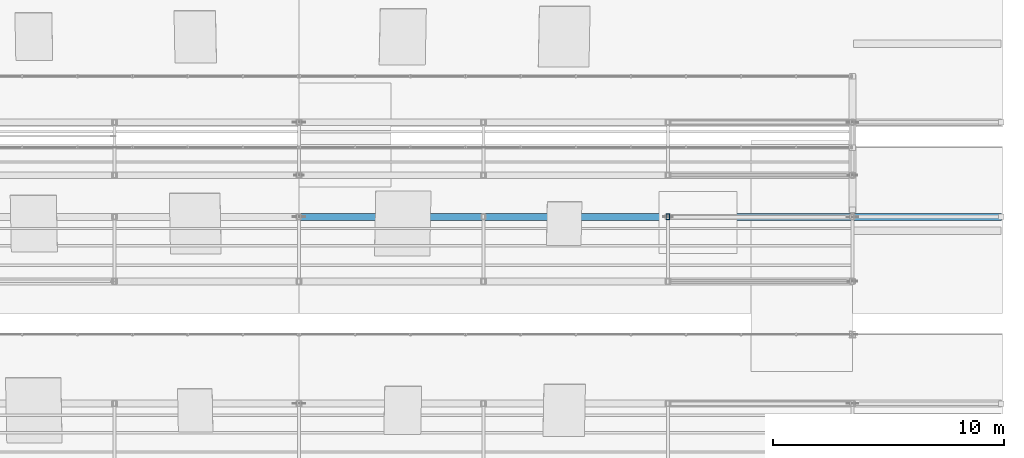
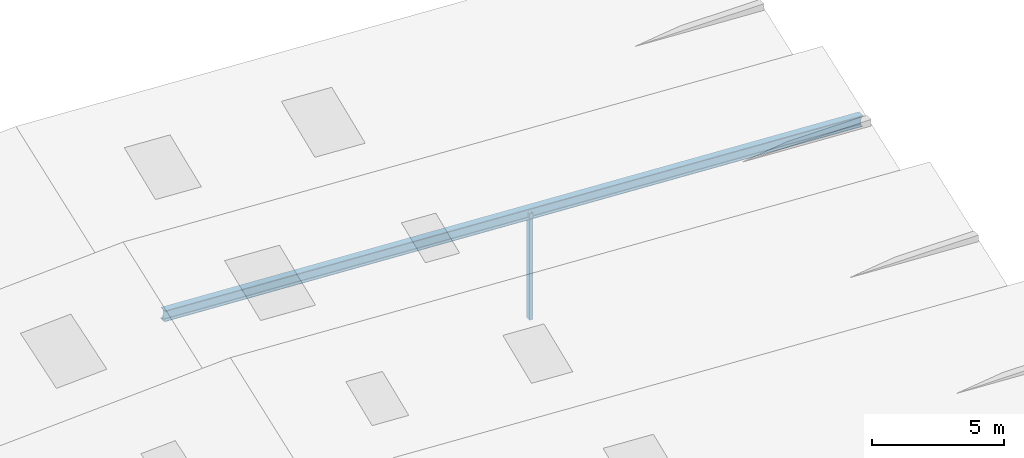
# One storey, part 117 of 141: 2 members.
"""IFC4 building model written with IfcOpenShell, lengths in metres."""

from ifc_helpers import new_model, si_unit, direction, frame, origin, origin_2d, place, context, subcontext, project, spatial, hollow_rectangle, i_section, extrude, material, material_profile, profile_set, type_object, element, save


model = new_model("IFC4")

# Units and contexts
model_context = context("Model", 3, precision=1e-05, world=origin(), true_north=direction((0.0, 1.0)))
body_context = subcontext(model_context, "Body", "Model", "MODEL_VIEW")
ifc_project = project(units=[si_unit("LENGTHUNIT", "METRE"), si_unit("AREAUNIT", "SQUARE_METRE"), si_unit("VOLUMEUNIT", "CUBIC_METRE"), si_unit("PLANEANGLEUNIT", "RADIAN"), si_unit("MASSUNIT", "GRAM", prefix="KILO")], contexts=[model_context])

# Site, building, storey
site_placement = place(None, origin())
site = spatial("IfcSite", under=ifc_project, at=site_placement, CompositionType="ELEMENT")
building_placement = place(site_placement, origin())
building = spatial("IfcBuilding", under=site, at=building_placement, Name="Sundkrona Museum", CompositionType="ELEMENT")
storey_placement = place(building_placement, frame((0.0, 0.0, 34.0)))
storey = spatial("IfcBuildingStorey", under=building, at=storey_placement, Name="RF", CompositionType="ELEMENT", Elevation=34.0)

# Members
ifc_material = material(Name="Steel S355J2", Category="steel")
ifc_material_profile_1 = material_profile(ifc_material, hollow_rectangle(XDim=0.14990234375, YDim=0.25, WallThickness=0.010009765625, at=origin_2d()), Name="RHS 250x150x10.0")
ifc_profile_set_1 = profile_set([ifc_material_profile_1], Name="Steel S355J2")
member_type_1 = type_object("IfcMemberType", Name="ST-RHS250", PredefinedType="STRUT", material=ifc_profile_set_1)
member_1_placement = place(storey_placement, frame((160.0, 39.699951171875, -0.25), z_axis=(0.0, 0.0, 1.0), x_axis=(1.0, 0.0, 0.0)))
element("IfcMember", 1, at=member_1_placement, inside=storey, type_object=member_type_1, Name="RFS-1 Sawtooth Truss 6 Vertical Post 6", PredefinedType="STRUT", context=body_context, shape_type="SweptSolid", body=[
    extrude(hollow_rectangle(XDim=0.14990234375, YDim=0.25, WallThickness=0.010009765625, at=origin_2d()), origin(), (0.0, 0.0, 1.0), 4.910400390625),
])
ifc_material_profile_2 = material_profile(ifc_material, i_section(OverallWidth=0.300048828125, OverallDepth=0.5, WebThickness=0.014404296875, FlangeThickness=0.028076171875, FilletRadius=0.027099609375, at=origin_2d()), Name="HEB 500")
ifc_profile_set_2 = profile_set([ifc_material_profile_2], Name="Steel S355J2")
member_type_2 = type_object("IfcMemberType", Name="TC-HEB500", PredefinedType="CHORD", material=ifc_profile_set_2)
member_2_placement = place(storey_placement, frame((144.0, 39.699951171875, 5.52587890625), z_axis=(0.998539589753, 0.0, -0.054024880348), x_axis=(0.0, 1.0, 0.0)))
element("IfcMember", 2, at=member_2_placement, inside=storey, type_object=member_type_2, Name="RFS-1 Sawtooth Truss 6 East Sloped Top Chord", PredefinedType="CHORD", context=body_context, shape_type="SweptSolid", body=[
    extrude(i_section(OverallWidth=0.300048828125, OverallDepth=0.5, WebThickness=0.014404296875, FlangeThickness=0.028076171875, FilletRadius=0.027099609375, at=origin_2d()), origin(), (0.0, 0.0, 1.0), 30.494384765625),
])

save(model, "model.ifc")
